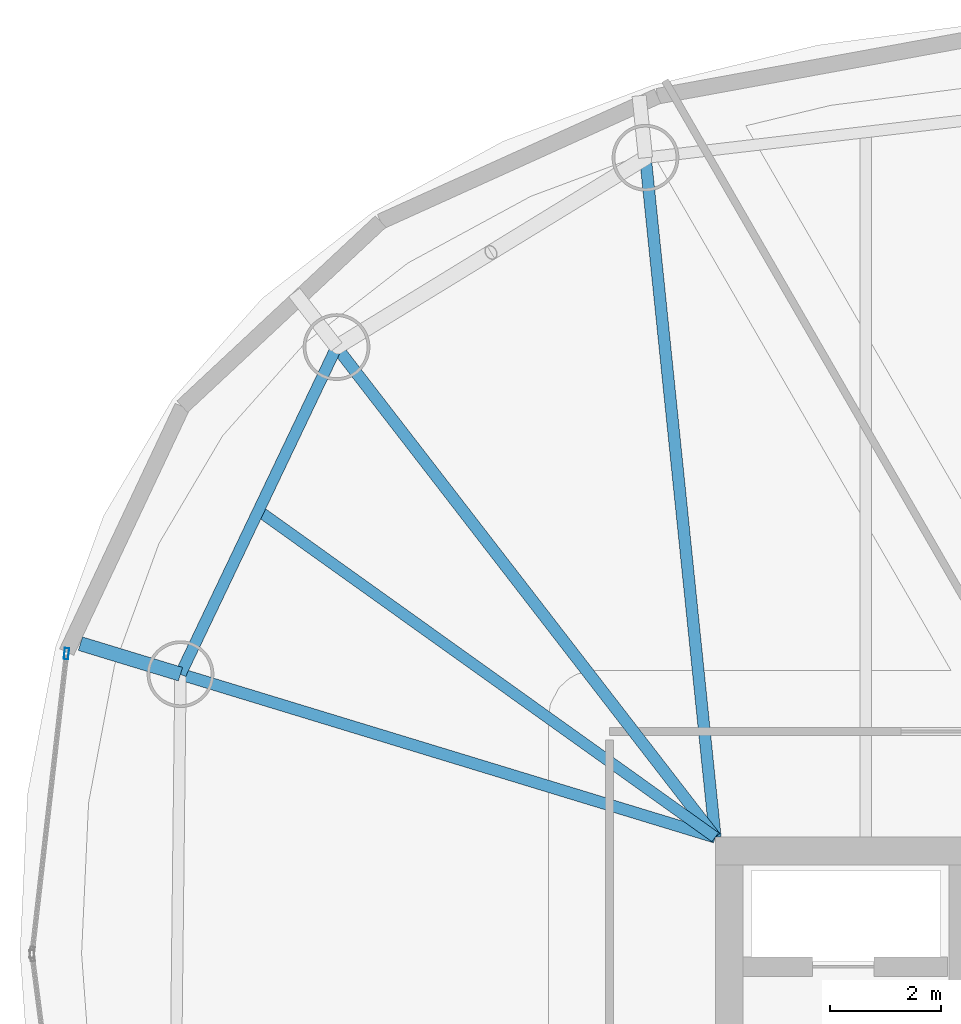
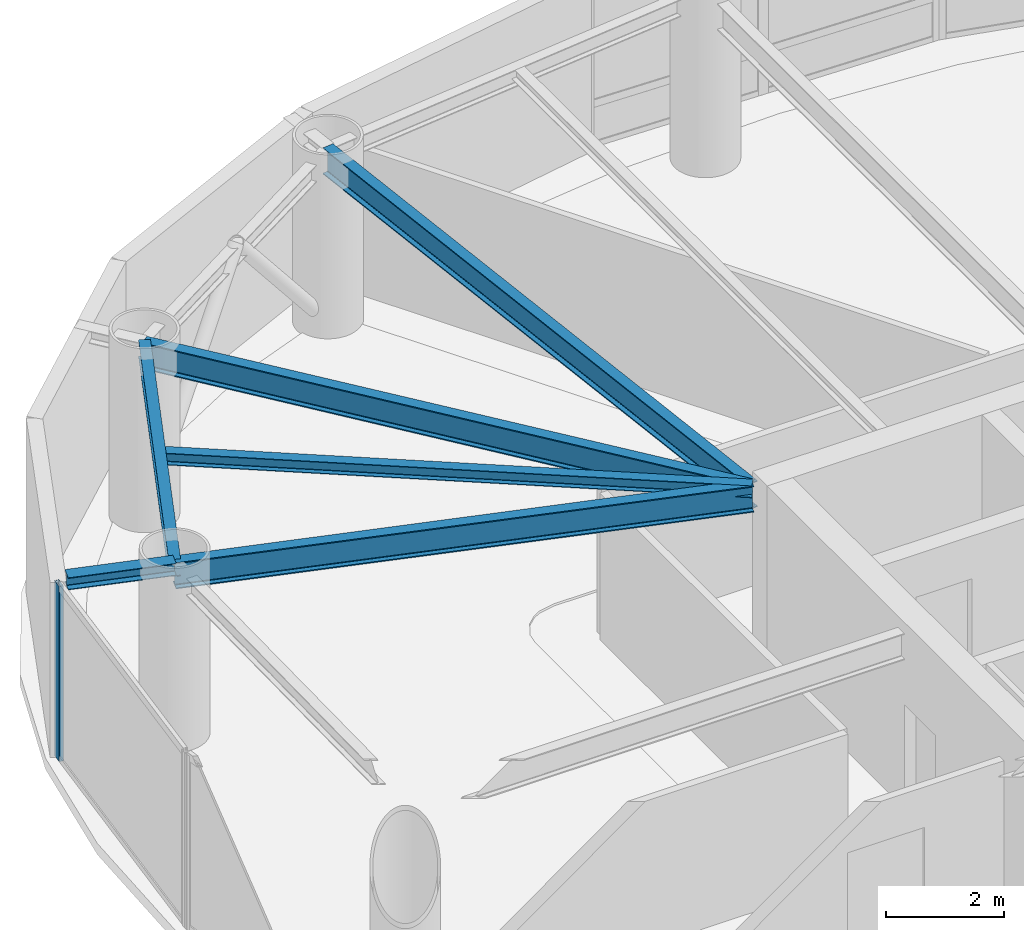
# One storey, part 10 of 20: 6 beams, 1 member, 1 element without a shape of its own.
"""IFC4 building model written with IfcOpenShell, lengths in metres."""

from ifc_helpers import new_model, si_unit, direction, frame, origin, origin_2d, place, context, subcontext, project, spatial, hollow_rectangle, i_section, extrude, material, layer, layer_set, material_profile, profile_set, type_object, element, aggregate, save


model = new_model("IFC4")

# Units and contexts
model_context = context("Model", 3, precision=1e-05, world=origin(), true_north=direction((0.0, 1.0)))
body_context = subcontext(model_context, "Body", "Model", "MODEL_VIEW")
ifc_project = project(units=[si_unit("LENGTHUNIT", "METRE"), si_unit("AREAUNIT", "SQUARE_METRE"), si_unit("VOLUMEUNIT", "CUBIC_METRE"), si_unit("PLANEANGLEUNIT", "RADIAN"), si_unit("MASSUNIT", "GRAM", prefix="KILO")], contexts=[model_context])

# Site, building, storey
site_placement = place(None, origin())
site = spatial("IfcSite", under=ifc_project, at=site_placement, CompositionType="ELEMENT")
building_placement = place(site_placement, origin())
building = spatial("IfcBuilding", under=site, at=building_placement, Name="Bramvorn Convention Spire", CompositionType="ELEMENT")
storey_placement = place(building_placement, frame((0.0, 0.0, 175.050048828125)))
storey = spatial("IfcBuildingStorey", under=building, at=storey_placement, Name="L44", CompositionType="ELEMENT", Elevation=175.050048828125)

# Beams
ifc_material_1 = material(Name="Steel CSA G40.21 Grade 350 (350W)", Category="steel")
ifc_material_profile_1 = material_profile(ifc_material_1, i_section(OverallWidth=0.201904296875, OverallDepth=0.2470703125, WebThickness=0.00732421875, FlangeThickness=0.010986328125, FilletRadius=0.011962890625, at=origin_2d()))
ifc_profile_set_1 = profile_set([ifc_material_profile_1], Name="Steel CSA G40.21 Grade 350 (350W) - W250X49")
beam_type_1 = type_object("IfcBeamType", Name="BM-W250X49", PredefinedType="JOIST", material=ifc_profile_set_1)
beam_1_placement = place(storey_placement, frame((26.75, 33.449951171875, 3.496337890625), z_axis=(-0.813471895271, 0.581604225916, 0.0), x_axis=(-0.581604225916, -0.813471895271, 0.0)))
element("IfcBeam", 1, at=beam_1_placement, inside=storey, type_object=beam_type_1, Name="L44 composite floor joist 09", PredefinedType="JOIST", context=body_context, shape_type="SweptSolid", body=[
    extrude(i_section(OverallWidth=0.201904296875, OverallDepth=0.2470703125, WebThickness=0.00732421875, FlangeThickness=0.010986328125, FilletRadius=0.011962890625, at=origin_2d()), origin(), (0.0, 0.0, 1.0), 10.093505859375),
])
ifc_material_profile_2 = material_profile(ifc_material_1, i_section(OverallWidth=0.25390625, OverallDepth=0.2529296875, WebThickness=0.008544921875, FlangeThickness=0.01416015625, FilletRadius=0.011962890625, at=origin_2d()))
ifc_profile_set_2 = profile_set([ifc_material_profile_2], Name="Steel CSA G40.21 Grade 350 (350W) - W250X73")
beam_type_2 = type_object("IfcBeamType", Name="BM-W250X73", PredefinedType="BEAM", material=ifc_profile_set_2)
beam_2_placement = place(storey_placement, frame((17.136962890625, 36.380615234375, 3.493408203125), z_axis=(-0.956581064687, 0.291466407468, 0.0), x_axis=(-0.291466407468, -0.956581064687, 0.0)))
element("IfcBeam", 2, at=beam_2_placement, inside=storey, type_object=beam_type_2, Name="L44 slab-edge cantilever tip beam MC10", PredefinedType="BEAM", context=body_context, shape_type="SweptSolid", body=[
    extrude(i_section(OverallWidth=0.25390625, OverallDepth=0.2529296875, WebThickness=0.008544921875, FlangeThickness=0.01416015625, FilletRadius=0.011962890625, at=origin_2d()), origin(), (0.0, 0.0, 1.0), 1.88037109375),
])
ifc_material_profile_3 = material_profile(ifc_material_1, i_section(OverallWidth=0.205078125, OverallDepth=0.35400390625, WebThickness=0.009521484375, FlangeThickness=0.016845703125, FilletRadius=0.014892578125, at=origin_2d()))
ifc_profile_set_3 = profile_set([ifc_material_profile_3], Name="Steel CSA G40.21 Grade 350 (350W) - W360X79")
beam_type_3 = type_object("IfcBeamType", Name="BM-W360X79", PredefinedType="JOIST", material=ifc_profile_set_3)
beam_3_placement = place(storey_placement, frame((19.941650390625, 42.260009765625, 3.44287109375), z_axis=(-0.430556138422, -0.902563799223, 0.0), x_axis=(0.902563799223, -0.430556138422, 0.0)))
element("IfcBeam", 3, at=beam_3_placement, inside=storey, type_object=beam_type_3, Name="L44 mega-column ring beam 09", PredefinedType="JOIST", context=body_context, shape_type="SweptSolid", body=[
    extrude(i_section(OverallWidth=0.205078125, OverallDepth=0.35400390625, WebThickness=0.009521484375, FlangeThickness=0.016845703125, FilletRadius=0.014892578125, at=origin_2d()), origin(), (0.0, 0.0, 1.0), 6.51416015625),
])
ifc_material_profile_4 = material_profile(ifc_material_1, i_section(OverallWidth=0.2119140625, OverallDepth=0.5439453125, WebThickness=0.01318359375, FlangeThickness=0.021240234375, FilletRadius=0.01904296875, at=origin_2d()))
ifc_profile_set_4 = profile_set([ifc_material_profile_4], Name="Steel CSA G40.21 Grade 350 (350W) - W530X123")
beam_type_4 = type_object("IfcBeamType", Name="BM-W530X123", PredefinedType="BEAM", material=ifc_profile_set_4)
beam_4_placement = place(storey_placement, frame((26.75, 33.449951171875, 3.347900390625), z_axis=(-0.10216509146, 0.994767457292, 0.0), x_axis=(-0.994767457292, -0.10216509146, 0.0)))
element("IfcBeam", 4, at=beam_4_placement, inside=storey, type_object=beam_type_4, Name="L44 radial floor girder MC08", PredefinedType="BEAM", context=body_context, shape_type="SweptSolid", body=[
    extrude(i_section(OverallWidth=0.2119140625, OverallDepth=0.5439453125, WebThickness=0.01318359375, FlangeThickness=0.021240234375, FilletRadius=0.01904296875, at=origin_2d()), origin(), (0.0, 0.0, 1.0), 12.278076171875),
])
beam_5_placement = place(storey_placement, frame((26.75, 33.449951171875, 3.347900390625), z_axis=(-0.611479951477, 0.791259925019, 0.0), x_axis=(-0.791259925019, -0.611479951477, 0.0)))
element("IfcBeam", 5, at=beam_5_placement, inside=storey, type_object=beam_type_4, Name="L44 radial floor girder MC09", PredefinedType="BEAM", context=body_context, shape_type="SweptSolid", body=[
    extrude(i_section(OverallWidth=0.2119140625, OverallDepth=0.5439453125, WebThickness=0.01318359375, FlangeThickness=0.021240234375, FilletRadius=0.01904296875, at=origin_2d()), origin(), (0.0, 0.0, 1.0), 11.13427734375),
])
beam_6_placement = place(storey_placement, frame((26.75, 33.449951171875, 3.347900390625), z_axis=(-0.95653637984, 0.291613021044, 0.0), x_axis=(-0.291613021044, -0.95653637984, 0.0)))
element("IfcBeam", 6, at=beam_6_placement, inside=storey, type_object=beam_type_4, Name="L44 radial floor girder MC10", PredefinedType="BEAM", context=body_context, shape_type="SweptSolid", body=[
    extrude(i_section(OverallWidth=0.2119140625, OverallDepth=0.5439453125, WebThickness=0.01318359375, FlangeThickness=0.021240234375, FilletRadius=0.01904296875, at=origin_2d()), origin(), (0.0, 0.0, 1.0), 10.0498046875),
])

# Curtain wall, member
ifc_material_2 = material(Name="Anodised Bronze Unitised Curtain Wall", Category="aluminium")
ifc_layer = layer(ifc_material_2, 0.179931640625)
ifc_layer_set = layer_set([ifc_layer], Name="Anodised Bronze Unitised Curtain Wall - CW-OFF-FRIT")
curtain_wall_type = type_object("IfcCurtainWallType", Name="CW-OFF-FRIT", PredefinedType="USERDEFINED", material=ifc_layer_set)
curtain_wall_placement = place(storey_placement, origin())
curtain_wall = element("IfcCurtainWall", 7, at=curtain_wall_placement, inside=storey, type_object=curtain_wall_type, Name="L44 fritted glass curtain wall 14", ObjectType="UNITISED CURTAIN WALL", PredefinedType="USERDEFINED")
ifc_material_3 = material(Name="Anodised Bronze Aluminium 6063-T6", Category="aluminium")
ifc_material_profile_5 = material_profile(ifc_material_3, hollow_rectangle(XDim=0.080078125, YDim=0.199951171875, WallThickness=0.00390625, InnerFilletRadius=0.0009765625, OuterFilletRadius=0.00390625, at=origin_2d()))
ifc_profile_set_5 = profile_set([ifc_material_profile_5], Name="Anodised Bronze Aluminium 6063-T6 - CWM80X200")
member_type = type_object("IfcMemberType", Name="CW-MUL-180", PredefinedType="MULLION", material=ifc_profile_set_5)
member_placement = place(storey_placement, frame((15.087890625, 36.748779296875, 0.0), z_axis=(0.0, 0.0, 1.0), x_axis=(-0.993479833675, 0.114007982536, 0.0)))
member = element("IfcMember", 8, at=member_placement, type_object=member_type, Name="CW3 mullion 2", PredefinedType="MULLION", context=body_context, shape_type="SweptSolid", body=[
    extrude(hollow_rectangle(XDim=0.080078125, YDim=0.199951171875, WallThickness=0.00390625, InnerFilletRadius=0.0009765625, OuterFilletRadius=0.00390625, at=origin_2d()), origin(), (0.0, 0.0, 1.0), 3.619873046875),
])
aggregate(curtain_wall, [member])

save(model, "model.ifc")
